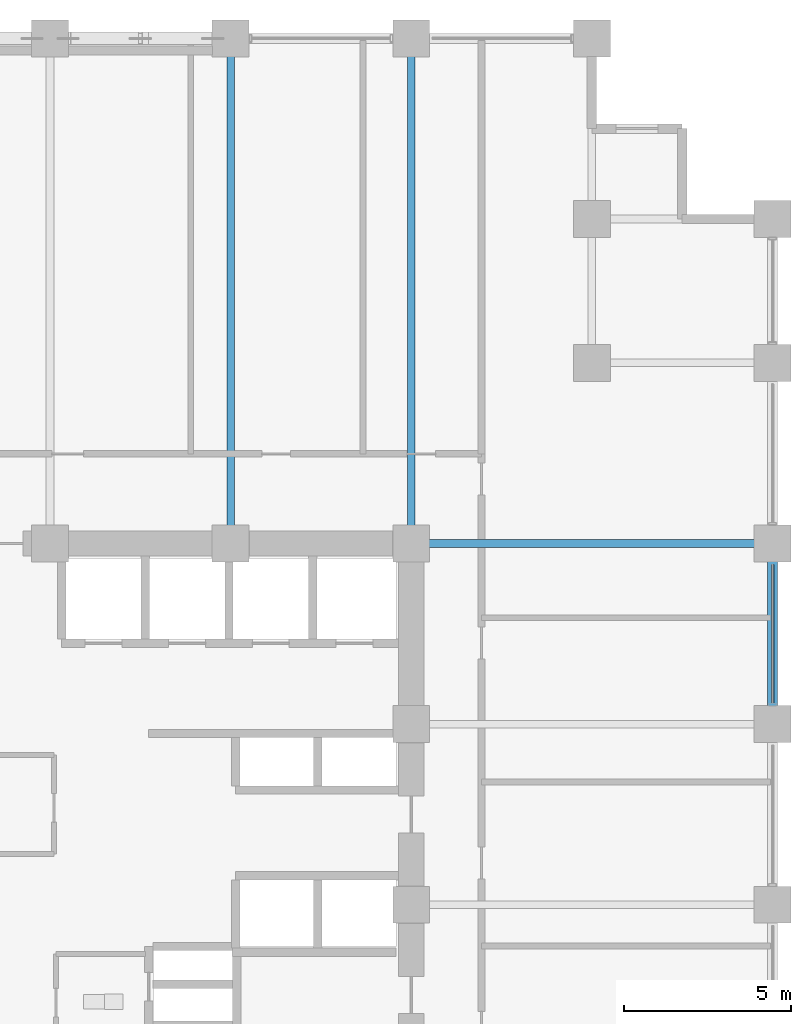
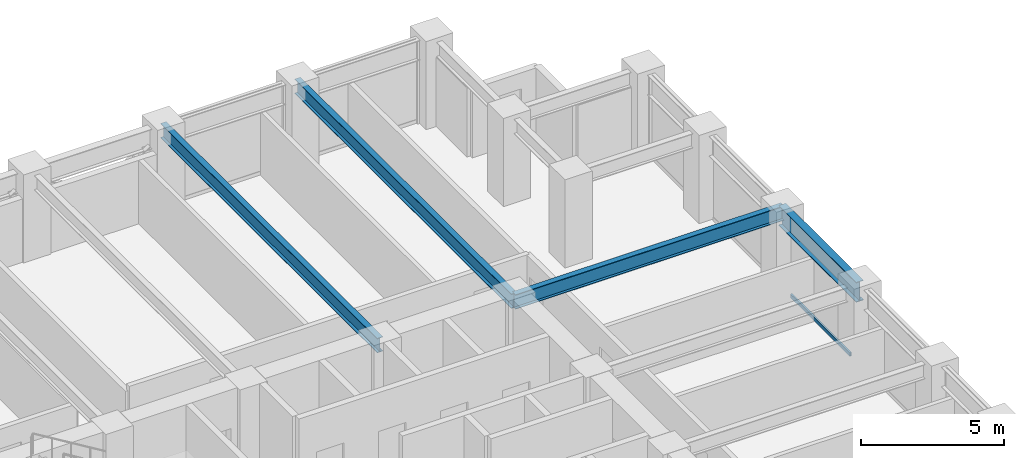
# One storey, part 14 of 25: 4 beams, 1 member, 1 element without a shape of its own.
"""IFC4 building model written with IfcOpenShell, lengths in metres."""

from ifc_helpers import new_model, si_unit, direction, frame, origin, origin_2d, place, context, subcontext, project, spatial, hollow_rectangle, i_section, extrude, material, layer, layer_set, material_profile, profile_set, type_object, element, aggregate, save


model = new_model("IFC4")

# Units and contexts
model_context = context("Model", 3, precision=1e-05, world=origin(), true_north=direction((0.0, 1.0)))
body_context = subcontext(model_context, "Body", "Model", "MODEL_VIEW")
ifc_project = project(units=[si_unit("LENGTHUNIT", "METRE"), si_unit("AREAUNIT", "SQUARE_METRE"), si_unit("VOLUMEUNIT", "CUBIC_METRE"), si_unit("PLANEANGLEUNIT", "RADIAN"), si_unit("MASSUNIT", "GRAM", prefix="KILO")], contexts=[model_context])

# Site, building, storey
site_placement = place(None, origin())
site = spatial("IfcSite", under=ifc_project, at=site_placement, CompositionType="ELEMENT")
building_placement = place(site_placement, origin())
building = spatial("IfcBuilding", under=site, at=building_placement, Name="Surkhivell Harbour Commons", CompositionType="ELEMENT")
storey_placement = place(building_placement, frame((0.0, 0.0, 113.25)))
storey = spatial("IfcBuildingStorey", under=building, at=storey_placement, Name="L29", CompositionType="ELEMENT", Elevation=113.25)

# Beams
ifc_material_1 = material(Name="Steel S355", Category="steel")
ifc_material_profile_1 = material_profile(ifc_material_1, i_section(OverallWidth=0.22998046875, OverallDepth=0.616943359375, WebThickness=0.01318359375, FlangeThickness=0.022216796875, at=origin_2d()), Name="UB610x229x140")
ifc_profile_set_1 = profile_set([ifc_material_profile_1], Name="Steel S355")
beam_type_1 = type_object("IfcBeamType", Name="BM-GRD-610B", PredefinedType="BEAM", material=ifc_profile_set_1)
for number, where, z_axis, x_axis, name in (
    (1, (5.39990234375, 10.800048828125, 3.261474609375), (0.0, 1.0, 0.0), (-1.0, 0.0, 0.0), "L29 Floor Girder (5.4,10.8)"),
    (2, (10.800048828125, 10.800048828125, 3.261474609375), (0.0, 1.0, 0.0), (-1.0, 0.0, 0.0), "L29 Floor Girder (10.8,10.8)"),
):
    element("IfcBeam", number, at=place(storey_placement, frame(where, z_axis=z_axis, x_axis=x_axis)), inside=storey, type_object=beam_type_1, Name=name, PredefinedType="BEAM", context=body_context, shape_type="SweptSolid", body=[
        extrude(i_section(OverallWidth=0.22998046875, OverallDepth=0.616943359375, WebThickness=0.01318359375, FlangeThickness=0.022216796875, at=origin_2d()), origin(), (0.0, 0.0, 1.0), 15.099853515625),
    ])
beam_1_placement = place(storey_placement, frame((10.800048828125, 10.800048828125, 3.261474609375), z_axis=(1.0, 0.0, 0.0), x_axis=(0.0, 1.0, 0.0)))
element("IfcBeam", 3, at=beam_1_placement, inside=storey, type_object=beam_type_1, Name="L29 Floor Girder (10.8,10.8)", PredefinedType="BEAM", context=body_context, shape_type="SweptSolid", body=[
    extrude(i_section(OverallWidth=0.22998046875, OverallDepth=0.616943359375, WebThickness=0.01318359375, FlangeThickness=0.022216796875, at=origin_2d()), origin(), (0.0, 0.0, 1.0), 10.800048828125),
])
ifc_material_2 = material(Name="Steel S460", Category="steel")
ifc_material_profile_2 = material_profile(ifc_material_2, i_section(OverallWidth=0.2939453125, OverallDepth=0.85107421875, WebThickness=0.01611328125, FlangeThickness=0.02685546875, at=origin_2d()), Name="UB838x292x226")
ifc_profile_set_2 = profile_set([ifc_material_profile_2], Name="Steel S460")
beam_type_2 = type_object("IfcBeamType", Name="BM-SPN-838", PredefinedType="SPANDREL", material=ifc_profile_set_2)
beam_2_placement = place(storey_placement, frame((21.60009765625, 5.39990234375, 3.14453125), z_axis=(0.0, 1.0, 0.0), x_axis=(-1.0, 0.0, 0.0)))
element("IfcBeam", 4, at=beam_2_placement, inside=storey, type_object=beam_type_2, Name="L29 Tube Spandrel (21.6,5.4)", PredefinedType="SPANDREL", context=body_context, shape_type="SweptSolid", body=[
    extrude(i_section(OverallWidth=0.2939453125, OverallDepth=0.85107421875, WebThickness=0.01611328125, FlangeThickness=0.02685546875, at=origin_2d()), origin(), (0.0, 0.0, 1.0), 5.400146484375),
])

# Curtain wall, member
ifc_material_3 = material(Name="Anodised pale-metal aluminium and insulated glazing", Category="aluminium")
ifc_layer = layer(ifc_material_3, 0.205078125)
ifc_layer_set = layer_set([ifc_layer], Name="Anodised pale-metal aluminium and insulated glazing")
curtain_wall_type = type_object("IfcCurtainWallType", Name="CW-SYS-Z2", PredefinedType="NOTDEFINED", material=ifc_layer_set)
curtain_wall_placement = place(storey_placement, origin())
curtain_wall = element("IfcCurtainWall", 5, at=curtain_wall_placement, inside=storey, type_object=curtain_wall_type, Name="L29 Curtain Wall CW-L29-E02", PredefinedType="NOTDEFINED")
ifc_material_4 = material(Name="Anodised pale-metal aluminium alloy 6063-T6", Category="aluminium")
ifc_material_profile_3 = material_profile(ifc_material_4, hollow_rectangle(XDim=0.074951171875, YDim=0.14990234375, WallThickness=0.00341796875, at=origin_2d()), Name="ALU-TRAN-75x150")
ifc_profile_set_3 = profile_set([ifc_material_profile_3], Name="Anodised pale-metal aluminium alloy 6063-T6")
member_type = type_object("IfcMemberType", Name="CWT-150", PredefinedType="USERDEFINED", material=ifc_profile_set_3)
member_placement = place(storey_placement, frame((21.60009765625, 6.027099609375, 0.074951171875), z_axis=(0.0, 1.0, 0.0), x_axis=(-1.0, 0.0, 0.0)))
member = element("IfcMember", 6, at=member_placement, type_object=member_type, Name="CW-Z2 transom 3.1", ObjectType="TRANSOM", PredefinedType="USERDEFINED", context=body_context, shape_type="SweptSolid", body=[
    extrude(hollow_rectangle(XDim=0.074951171875, YDim=0.14990234375, WallThickness=0.00341796875, at=origin_2d()), origin(), (0.0, 0.0, 1.0), 4.14599609375),
])
aggregate(curtain_wall, [member])

save(model, "model.ifc")
